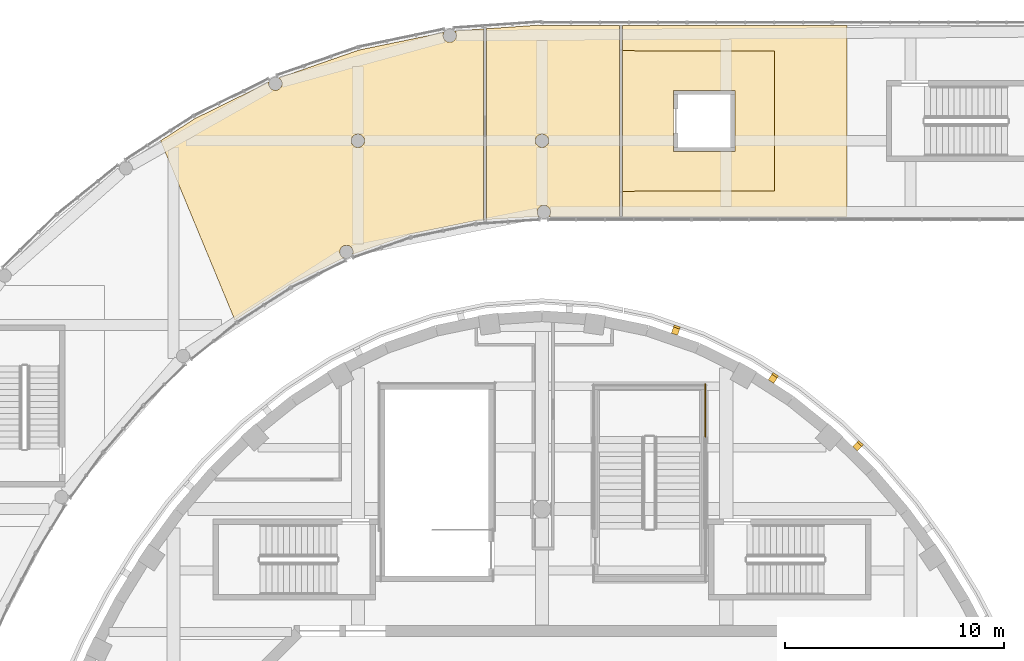
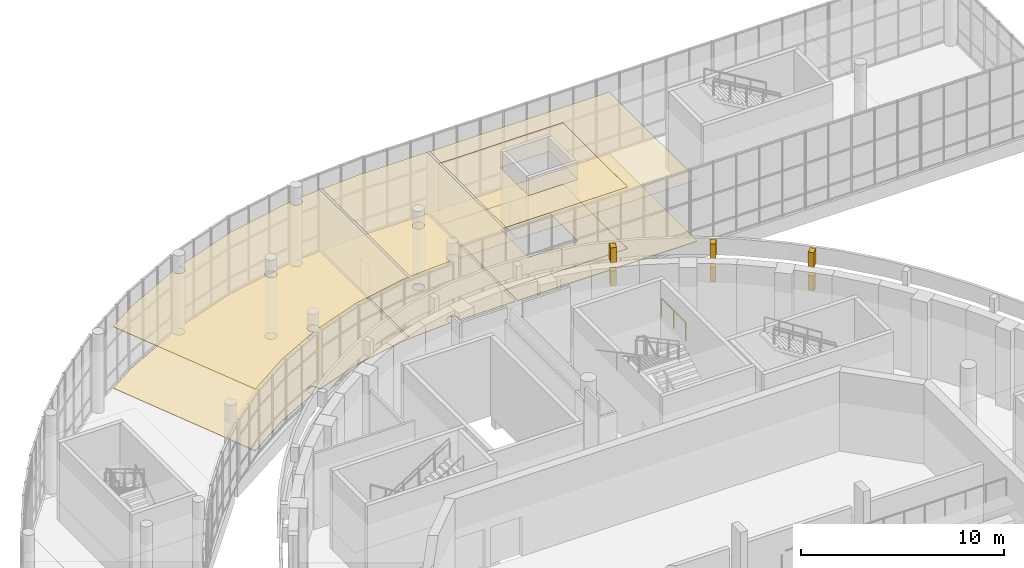
# One storey, part 113 of 119: 14 coverings, 1 railing.
"""IFC4 building model written with IfcOpenShell, lengths in metres."""

from ifc_helpers import new_model, si_unit, direction, frame, origin, origin_2d, place, context, subcontext, project, spatial, polyline, rectangle, circle, outline, extrude, material, layer, layer_set, type_object, element, save


model = new_model("IFC4")

# Units and contexts
model_context = context("Model", 3, precision=1e-05, world=origin(), true_north=direction((0.0, 1.0)))
body_context = subcontext(model_context, "Body", "Model", "MODEL_VIEW")
ifc_project = project(units=[si_unit("LENGTHUNIT", "METRE"), si_unit("AREAUNIT", "SQUARE_METRE"), si_unit("VOLUMEUNIT", "CUBIC_METRE"), si_unit("PLANEANGLEUNIT", "RADIAN"), si_unit("MASSUNIT", "GRAM", prefix="KILO")], contexts=[model_context])

# Site, building, storey
site_placement = place(None, origin())
site = spatial("IfcSite", under=ifc_project, at=site_placement, CompositionType="ELEMENT")
building_placement = place(site_placement, origin())
building = spatial("IfcBuilding", under=site, at=building_placement, Name="Larchfold Concert Hall", CompositionType="ELEMENT")
storey_placement = place(building_placement, frame((0.0, 0.0, 4.800048828125)))
storey = spatial("IfcBuildingStorey", under=building, at=storey_placement, Name="L01", CompositionType="ELEMENT", Elevation=4.800048828125)

# Coverings
ifc_material_1 = material(Name="Mineral fibre ceiling tile")
ifc_layer_1 = layer(ifc_material_1, 0.02001953125)
ifc_layer_set_1 = layer_set([ifc_layer_1], Name="Mineral fibre ceiling tile")
covering_type_1 = type_object("IfcCoveringType", Name="Ceiling mineral fibre tile 20", PredefinedType="CEILING", material=ifc_layer_set_1)
covering_1_placement = place(storey_placement, frame((0.0, 0.0, 3.72998046875)))
element("IfcCovering", 1, at=covering_1_placement, inside=storey, type_object=covering_type_1, Name="Ceiling Public Toilets 04", PredefinedType="CEILING", context=body_context, shape_type="SweptSolid", body=[
    extrude(outline(polyline([(40.0, 131.702392578125), (40.0625, 131.701904296875), (40.0625, 123.00390625), (42.458740234375, 123.153076171875), (42.42431640625, 123.2001953125), (42.406982421875, 123.2353515625), (42.38671875, 123.31103515625), (42.38671875, 123.38916015625), (42.406982421875, 123.46484375), (42.42431640625, 123.5), (42.471923828125, 123.562255859375), (42.5341796875, 123.60986328125), (42.6064453125, 123.639892578125), (42.68408203125, 123.650146484375), (42.76171875, 123.639892578125), (42.833984375, 123.60986328125), (42.896240234375, 123.562255859375), (42.94384765625, 123.5), (42.961181640625, 123.46484375), (42.9814453125, 123.38916015625), (42.9814453125, 123.31103515625), (42.961181640625, 123.2353515625), (42.94384765625, 123.2001953125), (42.90673828125, 123.14990234375), (46.137451171875, 123.14990234375), (46.137451171875, 124.26611328125), (46.199951171875, 124.26904296875), (46.137451171875, 124.26904296875), (46.137451171875, 130.73095703125), (46.199951171875, 130.73388671875), (46.137451171875, 130.73388671875), (46.137451171875, 131.85009765625), (42.4501953125, 131.85009765625), (42.4501953125, 131.871337890625), (40.0, 131.702392578125)]), holes=[polyline([(42.4501953125, 126.34033203125), (42.387939453125, 126.387939453125), (42.34033203125, 126.4501953125), (42.322998046875, 126.4853515625), (42.302734375, 126.56103515625), (42.302734375, 126.63916015625), (42.310302734375, 126.677734375), (42.322998046875, 126.71484375), (42.362060546875, 126.78271484375), (42.387939453125, 126.812255859375), (42.4501953125, 126.85986328125), (42.4853515625, 126.877197265625), (42.56103515625, 126.8974609375), (42.63916015625, 126.8974609375), (42.677734375, 126.889892578125), (42.75, 126.85986328125), (42.812255859375, 126.812255859375), (42.85986328125, 126.75), (42.877197265625, 126.71484375), (42.8974609375, 126.63916015625), (42.8974609375, 126.56103515625), (42.889892578125, 126.5224609375), (42.877197265625, 126.4853515625), (42.838134765625, 126.41748046875), (42.812255859375, 126.387939453125), (42.75, 126.34033203125), (42.71484375, 126.322998046875), (42.63916015625, 126.302734375), (42.56103515625, 126.302734375), (42.5224609375, 126.310302734375), (42.4501953125, 126.34033203125)])]), origin(), (0.0, 0.0, 1.0), 0.02001953125),
])
ifc_material_2 = material(Name="Plasterboard ceiling lining")
ifc_layer_2 = layer(ifc_material_2, 0.030029296875)
ifc_layer_set_2 = layer_set([ifc_layer_2], Name="Plasterboard ceiling lining")
covering_type_2 = type_object("IfcCoveringType", Name="Ceiling suspended plasterboard 30", PredefinedType="CEILING", material=ifc_layer_set_2)
covering_2_placement = place(storey_placement, frame((0.0, 0.0, 3.719970703125)))
element("IfcCovering", 2, at=covering_2_placement, inside=storey, type_object=covering_type_2, Name="Ceiling Foyer 03", PredefinedType="CEILING", context=body_context, shape_type="SweptSolid", body=[
    extrude(outline(polyline([(46.262451171875, 124.2890625), (46.81201171875, 124.2890625), (46.81201171875, 124.301025390625), (53.198974609375, 124.301025390625), (53.198974609375, 130.698974609375), (46.81201171875, 130.698974609375), (46.81201171875, 130.7109375), (46.262451171875, 130.7109375), (46.262451171875, 124.2890625)]), holes=[polyline([(48.60009765625, 126.10009765625), (48.60009765625, 128.89990234375), (51.39990234375, 128.89990234375), (51.39990234375, 126.10009765625), (48.60009765625, 126.10009765625)])]), origin(), (0.0, 0.0, 1.0), 0.030029296875),
])
covering_3_placement = place(storey_placement, frame((0.0, 0.0, 3.719970703125)))
element("IfcCovering", 3, at=covering_3_placement, inside=storey, type_object=covering_type_2, Name="Ceiling Winter Garden Foyer North 01", PredefinedType="CEILING", context=body_context, shape_type="SweptSolid", body=[
    extrude(outline(polyline([(46.262451171875, 131.85009765625), (46.262451171875, 130.73388671875), (46.199951171875, 130.73095703125), (46.262451171875, 130.73095703125), (46.262451171875, 130.699462890625), (53.199951171875, 130.699951171875), (53.199951171875, 124.300048828125), (46.262451171875, 124.300537109375), (46.262451171875, 124.26904296875), (46.199951171875, 124.26611328125), (46.262451171875, 124.26611328125), (46.262451171875, 123.14990234375), (56.50048828125, 123.14990234375), (56.50048828125, 131.85009765625), (46.262451171875, 131.85009765625)])), origin(), (0.0, 0.0, 1.0), 0.030029296875),
])
covering_4_placement = place(storey_placement, frame((0.0, 0.0, 3.719970703125)))
element("IfcCovering", 4, at=covering_4_placement, inside=storey, type_object=covering_type_2, Name="Ceiling Winter Garden Foyer North", PredefinedType="CEILING", context=body_context, shape_type="SweptSolid", body=[
    extrude(outline(polyline([(26.771484375, 127.6103515625), (25.203369140625, 126.599365234375), (28.587890625, 118.427978515625), (31.066650390625, 120.028076171875), (33.560302734375, 121.258056640625), (33.493408203125, 121.296875), (33.4638671875, 121.32275390625), (33.416259765625, 121.385009765625), (33.38623046875, 121.457275390625), (33.3759765625, 121.534912109375), (33.38623046875, 121.612548828125), (33.416259765625, 121.684814453125), (33.4638671875, 121.7470703125), (33.493408203125, 121.77294921875), (33.561279296875, 121.81201171875), (33.636962890625, 121.832275390625), (33.715087890625, 121.832275390625), (33.790771484375, 121.81201171875), (33.825927734375, 121.794677734375), (33.88818359375, 121.7470703125), (33.935791015625, 121.684814453125), (33.953125, 121.649658203125), (33.973388671875, 121.573974609375), (33.973388671875, 121.495849609375), (33.953125, 121.419921875), (36.57666015625, 122.333740234375), (39.55224609375, 122.950927734375), (40.0, 122.981689453125), (40.0, 123.0), (39.9375, 123.0), (39.9375, 131.697998046875), (38.60107421875, 131.60595703125), (38.65185546875, 131.541015625), (38.681884765625, 131.46875), (38.692138671875, 131.39111328125), (38.681884765625, 131.3134765625), (38.65185546875, 131.2412109375), (38.604248046875, 131.178955078125), (38.57470703125, 131.153076171875), (38.5068359375, 131.114013671875), (38.43115234375, 131.09375), (38.35302734375, 131.09375), (38.27734375, 131.114013671875), (38.20947265625, 131.153076171875), (38.179931640625, 131.178955078125), (38.13232421875, 131.2412109375), (38.102294921875, 131.3134765625), (38.092041015625, 131.39111328125), (38.102294921875, 131.46875), (38.132568359375, 131.54150390625), (34.2529296875, 130.737060546875), (30.587890625, 129.46044921875), (30.6552734375, 129.41015625), (30.702880859375, 129.347900390625), (30.73291015625, 129.275634765625), (30.7431640625, 129.197998046875), (30.73291015625, 129.120361328125), (30.702880859375, 129.048095703125), (30.68115234375, 129.015380859375), (30.625732421875, 128.9599609375), (30.557861328125, 128.9208984375), (30.482177734375, 128.900634765625), (30.404052734375, 128.900634765625), (30.328369140625, 128.9208984375), (30.260498046875, 128.9599609375), (30.23095703125, 128.98583984375), (30.183349609375, 129.048095703125), (30.1533203125, 129.120361328125), (30.14306640625, 129.197998046875), (30.154541015625, 129.27880859375), (26.771484375, 127.6103515625)]), holes=[polyline([(33.98779296875, 126.387939453125), (33.940185546875, 126.4501953125), (33.9228515625, 126.4853515625), (33.902587890625, 126.56103515625), (33.902587890625, 126.63916015625), (33.9228515625, 126.71484375), (33.9619140625, 126.78271484375), (33.98779296875, 126.812255859375), (34.050048828125, 126.85986328125), (34.085205078125, 126.877197265625), (34.160888671875, 126.8974609375), (34.239013671875, 126.8974609375), (34.277587890625, 126.889892578125), (34.349853515625, 126.85986328125), (34.412109375, 126.812255859375), (34.459716796875, 126.75), (34.47705078125, 126.71484375), (34.497314453125, 126.63916015625), (34.497314453125, 126.56103515625), (34.47705078125, 126.4853515625), (34.43798828125, 126.41748046875), (34.412109375, 126.387939453125), (34.349853515625, 126.34033203125), (34.314697265625, 126.322998046875), (34.239013671875, 126.302734375), (34.160888671875, 126.302734375), (34.122314453125, 126.310302734375), (34.050048828125, 126.34033203125), (33.98779296875, 126.387939453125)])]), origin(), (0.0, 0.0, 1.0), 0.030029296875),
])
ifc_material_3 = material(Name="Ceramic tile")
ifc_layer_3 = layer(ifc_material_3, 0.030029296875)
ifc_layer_set_3 = layer_set([ifc_layer_3], Name="Ceramic tile")
covering_type_3 = type_object("IfcCoveringType", Name="Floor finish ceramic tile 30", PredefinedType="FLOORING", material=ifc_layer_set_3)
covering_5_placement = place(storey_placement, origin())
element("IfcCovering", 5, at=covering_5_placement, inside=storey, type_object=covering_type_3, Name="Floor finish Public Toilets 04", PredefinedType="FLOORING", context=body_context, shape_type="SweptSolid", body=[
    extrude(outline(polyline([(40.0, 131.702392578125), (40.0625, 131.701904296875), (40.0625, 123.00390625), (42.458740234375, 123.153076171875), (42.42431640625, 123.2001953125), (42.406982421875, 123.2353515625), (42.38671875, 123.31103515625), (42.38671875, 123.38916015625), (42.406982421875, 123.46484375), (42.42431640625, 123.5), (42.471923828125, 123.562255859375), (42.5341796875, 123.60986328125), (42.6064453125, 123.639892578125), (42.68408203125, 123.650146484375), (42.76171875, 123.639892578125), (42.833984375, 123.60986328125), (42.896240234375, 123.562255859375), (42.94384765625, 123.5), (42.961181640625, 123.46484375), (42.9814453125, 123.38916015625), (42.9814453125, 123.31103515625), (42.961181640625, 123.2353515625), (42.94384765625, 123.2001953125), (42.90673828125, 123.14990234375), (46.137451171875, 123.14990234375), (46.137451171875, 124.26611328125), (46.199951171875, 124.26904296875), (46.137451171875, 124.26904296875), (46.137451171875, 130.73095703125), (46.199951171875, 130.73388671875), (46.137451171875, 130.73388671875), (46.137451171875, 131.85009765625), (42.4501953125, 131.85009765625), (42.4501953125, 131.871337890625), (40.0, 131.702392578125)]), holes=[polyline([(42.4501953125, 126.34033203125), (42.387939453125, 126.387939453125), (42.34033203125, 126.4501953125), (42.322998046875, 126.4853515625), (42.302734375, 126.56103515625), (42.302734375, 126.63916015625), (42.310302734375, 126.677734375), (42.322998046875, 126.71484375), (42.362060546875, 126.78271484375), (42.387939453125, 126.812255859375), (42.4501953125, 126.85986328125), (42.4853515625, 126.877197265625), (42.56103515625, 126.8974609375), (42.63916015625, 126.8974609375), (42.677734375, 126.889892578125), (42.75, 126.85986328125), (42.812255859375, 126.812255859375), (42.85986328125, 126.75), (42.877197265625, 126.71484375), (42.8974609375, 126.63916015625), (42.8974609375, 126.56103515625), (42.889892578125, 126.5224609375), (42.877197265625, 126.4853515625), (42.838134765625, 126.41748046875), (42.812255859375, 126.387939453125), (42.75, 126.34033203125), (42.71484375, 126.322998046875), (42.63916015625, 126.302734375), (42.56103515625, 126.302734375), (42.5224609375, 126.310302734375), (42.4501953125, 126.34033203125)])]), origin(), (0.0, 0.0, 1.0), 0.030029296875),
])
ifc_material_4 = material(Name="Polished terrazzo")
ifc_layer_4 = layer(ifc_material_4, 0.0400390625)
ifc_layer_set_4 = layer_set([ifc_layer_4], Name="Polished terrazzo")
covering_type_4 = type_object("IfcCoveringType", Name="Floor finish terrazzo 40", PredefinedType="FLOORING", material=ifc_layer_set_4)
covering_6_placement = place(storey_placement, origin())
element("IfcCovering", 6, at=covering_6_placement, inside=storey, type_object=covering_type_4, Name="Floor finish Foyer 03", PredefinedType="FLOORING", context=body_context, shape_type="SweptSolid", body=[
    extrude(outline(polyline([(46.262451171875, 124.2890625), (46.81201171875, 124.2890625), (46.81201171875, 124.301025390625), (53.198974609375, 124.301025390625), (53.198974609375, 130.698974609375), (46.81201171875, 130.698974609375), (46.81201171875, 130.7109375), (46.262451171875, 130.7109375), (46.262451171875, 124.2890625)]), holes=[polyline([(48.60009765625, 126.10009765625), (48.60009765625, 128.89990234375), (51.39990234375, 128.89990234375), (51.39990234375, 126.10009765625), (48.60009765625, 126.10009765625)])]), origin(), (0.0, 0.0, 1.0), 0.0400390625),
])
covering_7_placement = place(storey_placement, origin())
element("IfcCovering", 7, at=covering_7_placement, inside=storey, type_object=covering_type_4, Name="Floor finish Winter Garden Foyer North 01", PredefinedType="FLOORING", context=body_context, shape_type="SweptSolid", body=[
    extrude(outline(polyline([(46.262451171875, 131.85009765625), (46.262451171875, 130.73388671875), (46.199951171875, 130.73095703125), (46.262451171875, 130.73095703125), (46.262451171875, 130.699462890625), (53.199951171875, 130.699951171875), (53.199951171875, 124.300048828125), (46.262451171875, 124.300537109375), (46.262451171875, 124.26904296875), (46.199951171875, 124.26611328125), (46.262451171875, 124.26611328125), (46.262451171875, 123.14990234375), (56.50048828125, 123.14990234375), (56.50048828125, 131.85009765625), (46.262451171875, 131.85009765625)])), origin(), (0.0, 0.0, 1.0), 0.0400390625),
])
covering_8_placement = place(storey_placement, origin())
element("IfcCovering", 8, at=covering_8_placement, inside=storey, type_object=covering_type_4, Name="Floor finish Winter Garden Foyer North", PredefinedType="FLOORING", context=body_context, shape_type="SweptSolid", body=[
    extrude(outline(polyline([(26.771484375, 127.6103515625), (25.203369140625, 126.599365234375), (28.587890625, 118.427978515625), (31.066650390625, 120.028076171875), (33.560302734375, 121.258056640625), (33.493408203125, 121.296875), (33.4638671875, 121.32275390625), (33.416259765625, 121.385009765625), (33.38623046875, 121.457275390625), (33.3759765625, 121.534912109375), (33.38623046875, 121.612548828125), (33.416259765625, 121.684814453125), (33.4638671875, 121.7470703125), (33.493408203125, 121.77294921875), (33.561279296875, 121.81201171875), (33.636962890625, 121.832275390625), (33.715087890625, 121.832275390625), (33.790771484375, 121.81201171875), (33.825927734375, 121.794677734375), (33.88818359375, 121.7470703125), (33.935791015625, 121.684814453125), (33.953125, 121.649658203125), (33.973388671875, 121.573974609375), (33.973388671875, 121.495849609375), (33.953125, 121.419921875), (36.57666015625, 122.333740234375), (39.55224609375, 122.950927734375), (40.0, 122.981689453125), (40.0, 123.0), (39.9375, 123.0), (39.9375, 131.697998046875), (38.60107421875, 131.60595703125), (38.65185546875, 131.541015625), (38.681884765625, 131.46875), (38.692138671875, 131.39111328125), (38.681884765625, 131.3134765625), (38.65185546875, 131.2412109375), (38.604248046875, 131.178955078125), (38.57470703125, 131.153076171875), (38.5068359375, 131.114013671875), (38.43115234375, 131.09375), (38.35302734375, 131.09375), (38.27734375, 131.114013671875), (38.20947265625, 131.153076171875), (38.179931640625, 131.178955078125), (38.13232421875, 131.2412109375), (38.102294921875, 131.3134765625), (38.092041015625, 131.39111328125), (38.102294921875, 131.46875), (38.132568359375, 131.54150390625), (34.2529296875, 130.737060546875), (30.587890625, 129.46044921875), (30.6552734375, 129.41015625), (30.702880859375, 129.347900390625), (30.73291015625, 129.275634765625), (30.7431640625, 129.197998046875), (30.73291015625, 129.120361328125), (30.702880859375, 129.048095703125), (30.68115234375, 129.015380859375), (30.625732421875, 128.9599609375), (30.557861328125, 128.9208984375), (30.482177734375, 128.900634765625), (30.404052734375, 128.900634765625), (30.328369140625, 128.9208984375), (30.260498046875, 128.9599609375), (30.23095703125, 128.98583984375), (30.183349609375, 129.048095703125), (30.1533203125, 129.120361328125), (30.14306640625, 129.197998046875), (30.154541015625, 129.27880859375), (26.771484375, 127.6103515625)]), holes=[polyline([(33.98779296875, 126.387939453125), (33.940185546875, 126.4501953125), (33.9228515625, 126.4853515625), (33.902587890625, 126.56103515625), (33.902587890625, 126.63916015625), (33.9228515625, 126.71484375), (33.9619140625, 126.78271484375), (33.98779296875, 126.812255859375), (34.050048828125, 126.85986328125), (34.085205078125, 126.877197265625), (34.160888671875, 126.8974609375), (34.239013671875, 126.8974609375), (34.277587890625, 126.889892578125), (34.349853515625, 126.85986328125), (34.412109375, 126.812255859375), (34.459716796875, 126.75), (34.47705078125, 126.71484375), (34.497314453125, 126.63916015625), (34.497314453125, 126.56103515625), (34.47705078125, 126.4853515625), (34.43798828125, 126.41748046875), (34.412109375, 126.387939453125), (34.349853515625, 126.34033203125), (34.314697265625, 126.322998046875), (34.239013671875, 126.302734375), (34.160888671875, 126.302734375), (34.122314453125, 126.310302734375), (34.050048828125, 126.34033203125), (33.98779296875, 126.387939453125)])]), origin(), (0.0, 0.0, 1.0), 0.0400390625),
])
ifc_material_5 = material(Name="Galvanised steel bracket", Category="steel")
ifc_layer_5 = layer(ifc_material_5, 0.300048828125)
ifc_layer_set_5 = layer_set([ifc_layer_5], Name="Galvanised steel bracket")
covering_type_5 = type_object("IfcCoveringType", Name="Ring support bracket", PredefinedType="CLADDING", material=ifc_layer_set_5)
for number, where, z_axis, x_axis, name in (
    (9, (56.976806640625, 112.65478515625, 3.35009765625), (0.0, 0.0, 1.0), (0.69916054139, 0.714964710572, 0.0), "Ring bracket BR-R01-07"),
    (10, (53.1259765625, 115.739990234375, 3.35009765625), (0.0, 0.0, 1.0), (0.541810395078, 0.840500741098, 0.0), "Ring bracket BR-R01-08"),
    (11, (48.68798828125, 117.916748046875, 3.35009765625), (0.0, 0.0, 1.0), (0.328920226358, 0.944357710136, 0.0), "Ring bracket BR-R01-09"),
):
    element("IfcCovering", number, at=place(storey_placement, frame(where, z_axis=z_axis, x_axis=x_axis)), inside=storey, type_object=covering_type_5, Name=name, PredefinedType="CLADDING", context=body_context, shape_type="SweptSolid", body=[
        extrude(rectangle(XDim=0.300048828125, YDim=0.300048828125, at=origin_2d()), origin(), (0.0, 0.0, 1.0), 0.89990234375),
    ])
for number, where, z_axis, x_axis, name in (
    (12, (57.01171875, 112.690673828125, 4.75), (0.0, 0.0, 1.0), (0.69916054139, 0.714964710572, 0.0), "Ring bracket BR-R02-07"),
    (13, (53.153076171875, 115.7822265625, 4.75), (0.0, 0.0, 1.0), (0.541810395078, 0.840500741098, 0.0), "Ring bracket BR-R02-08"),
    (14, (48.704345703125, 117.964111328125, 4.75), (0.0, 0.0, 1.0), (0.328920226358, 0.944357710136, 0.0), "Ring bracket BR-R02-09"),
):
    element("IfcCovering", number, at=place(storey_placement, frame(where, z_axis=z_axis, x_axis=x_axis)), inside=storey, type_object=covering_type_5, Name=name, PredefinedType="CLADDING", context=body_context, shape_type="SweptSolid", body=[
        extrude(rectangle(XDim=0.39990234375, YDim=0.300048828125, at=origin_2d()), origin(), (0.0, 0.0, 1.0), 0.89990234375),
    ])

# Railing
ifc_material_6 = material(Name="Stainless steel balustrade", Category="steel")
railing_type = type_object("IfcRailingType", Name="Stair guard 1100", PredefinedType="GUARDRAIL", material=ifc_material_6)
railing_placement = place(storey_placement, frame((50.050048828125, 113.10009765625, 2.39990234375)))
element("IfcRailing", 15, at=railing_placement, inside=storey, type_object=railing_type, Name="Guard GR0109", PredefinedType="GUARDRAIL", context=body_context, shape_type="SweptSolid", body=[
    extrude(circle(Radius=0.02392578125, at=origin_2d()), frame((0.0, 0.0, 1.076171875), z_axis=(0.0, 1.0, 0.0), x_axis=(-1.0, 0.0, 0.0)), (0.0, 0.0, 1.0), 2.39990234375),
    extrude(circle(Radius=0.02099609375, at=origin_2d()), origin(), (0.0, 0.0, 1.0), 1.052001953125),
    extrude(circle(Radius=0.02099609375, at=origin_2d()), frame((0.0, 1.199951171875, 0.0)), (0.0, 0.0, 1.0), 1.052001953125),
    extrude(circle(Radius=0.02099609375, at=origin_2d()), frame((0.0, 2.39990234375, 0.0)), (0.0, 0.0, 1.0), 1.052001953125),
])

save(model, "model.ifc")
